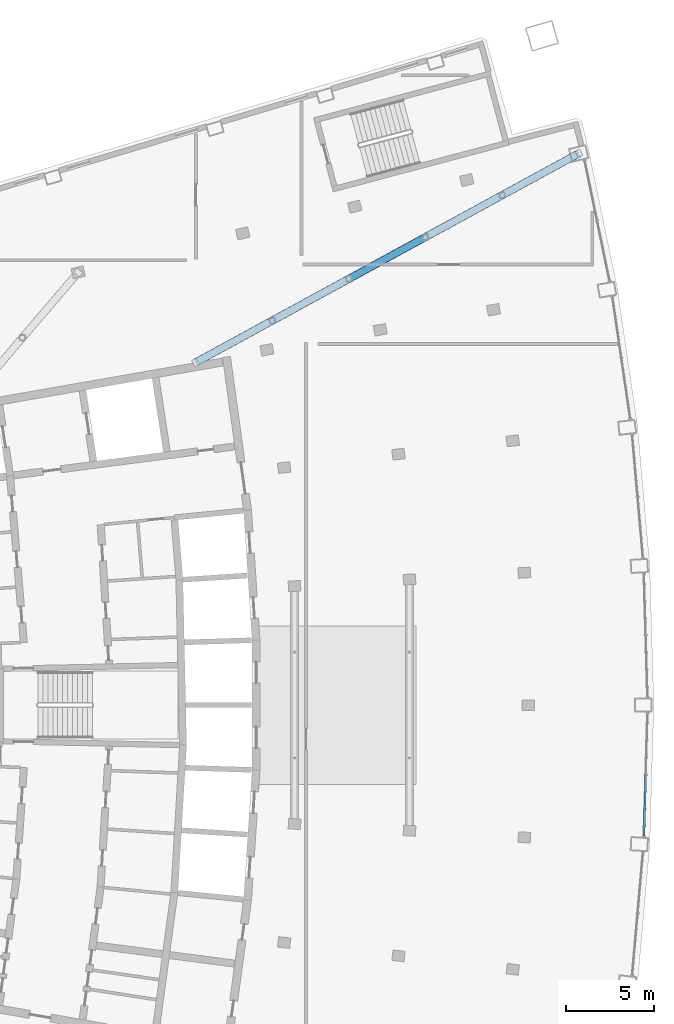
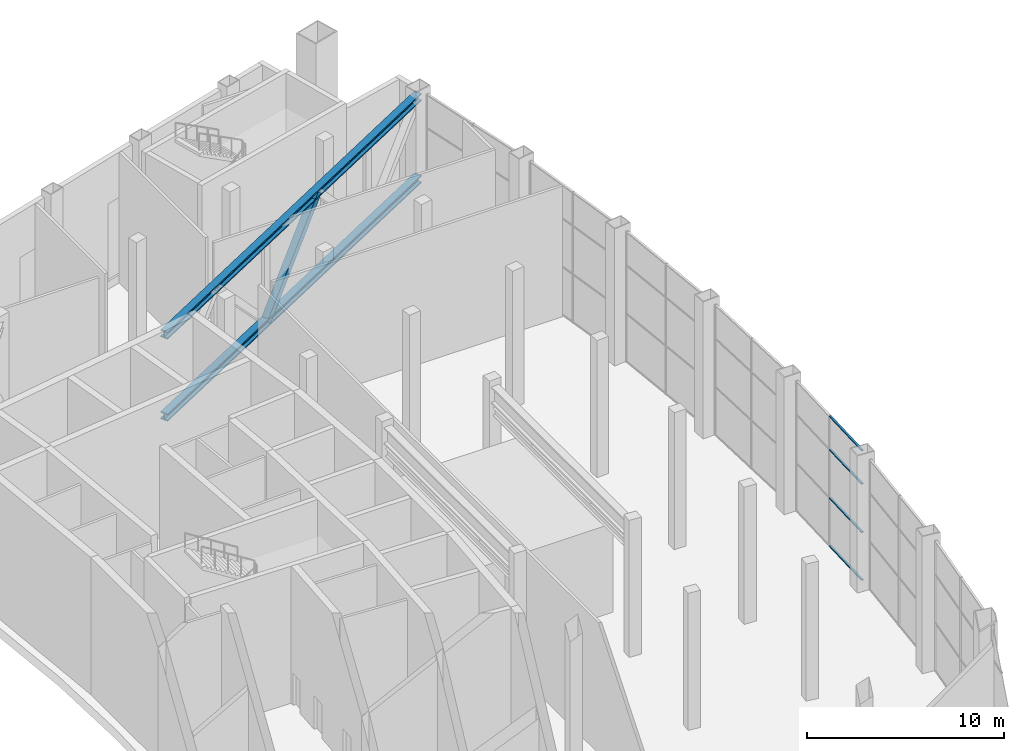
# One storey, part 12 of 25: 7 members, 1 element without a shape of its own.
"""IFC4 building model written with IfcOpenShell, lengths in metres."""

from ifc_helpers import new_model, si_unit, direction, frame, origin, origin_2d, place, context, subcontext, project, spatial, rectangle, hollow_rectangle, i_section, extrude, material, layer, layer_set, material_profile, profile_set, type_object, element, aggregate, save


model = new_model("IFC4")

# Units and contexts
model_context = context("Model", 3, precision=1e-05, world=origin(), true_north=direction((0.0, 1.0)))
body_context = subcontext(model_context, "Body", "Model", "MODEL_VIEW")
ifc_project = project(units=[si_unit("LENGTHUNIT", "METRE"), si_unit("AREAUNIT", "SQUARE_METRE"), si_unit("VOLUMEUNIT", "CUBIC_METRE"), si_unit("PLANEANGLEUNIT", "RADIAN"), si_unit("MASSUNIT", "GRAM", prefix="KILO")], contexts=[model_context])

# Site, building, storey
site_placement = place(None, origin())
site = spatial("IfcSite", under=ifc_project, at=site_placement, CompositionType="ELEMENT")
building_placement = place(site_placement, origin())
building = spatial("IfcBuilding", under=site, at=building_placement, Name="Alderwake Tower", CompositionType="ELEMENT")
storey_placement = place(building_placement, frame((0.0, 0.0, 296.0)))
storey = spatial("IfcBuildingStorey", under=building, at=storey_placement, Name="L73", CompositionType="ELEMENT", Elevation=296.0)

# Members
ifc_material_1 = material(Name="Steel ASTM A992 Grade 50", Category="steel")
ifc_material_profile_1 = material_profile(ifc_material_1, i_section(OverallWidth=0.42138671875, OverallDepth=0.464599609375, WebThickness=0.044921875, FlangeThickness=0.072265625, at=origin_2d()), Name="W14X398")
ifc_profile_set_1 = profile_set([ifc_material_profile_1], Name="Steel ASTM A992 Grade 50")
member_type_1 = type_object("IfcMemberType", Name="Outrigger truss chord W14X398", PredefinedType="CHORD", material=ifc_profile_set_1)
for number, where, z_axis, x_axis, name in (
    (1, (29.993896484375, 80.447998046875, 7.86767578125), (0.877845830227, 0.478943314342, 0.0), (-0.478943314342, 0.877845830227, 0.0), "Outrigger truss chord DT73NF.T"),
    (2, (29.993896484375, 80.447998046875, 2.7822265625), (0.877845830227, 0.478943314342, 0.0), (-0.478943314342, 0.877845830227, 0.0), "Outrigger truss chord DT73NF.B"),
):
    element("IfcMember", number, at=place(storey_placement, frame(where, z_axis=z_axis, x_axis=x_axis)), inside=storey, type_object=member_type_1, Name=name, PredefinedType="CHORD", context=body_context, shape_type="SweptSolid", body=[
        extrude(i_section(OverallWidth=0.42138671875, OverallDepth=0.464599609375, WebThickness=0.044921875, FlangeThickness=0.072265625, at=origin_2d()), origin(), (0.0, 0.0, 1.0), 24.761474609375),
    ])
ifc_material_2 = material(Name="Steel ASTM A500 Grade C", Category="steel")
ifc_material_profile_2 = material_profile(ifc_material_2, hollow_rectangle(XDim=0.406494140625, YDim=0.406494140625, WallThickness=0.014892578125, at=origin_2d()), Name="HSS16X16X5/8")
ifc_profile_set_2 = profile_set([ifc_material_profile_2], Name="Steel ASTM A500 Grade C")
member_type_2 = type_object("IfcMemberType", Name="Outrigger truss diagonal HSS16X16X5/8", PredefinedType="BRACE", material=ifc_profile_set_2)
member_1_placement = place(storey_placement, frame((38.688720703125, 85.191650390625, 2.7822265625), z_axis=(0.612442162249, 0.334165667906, 0.716413221746), x_axis=(-0.478969559992, 0.877831510372, 0.0)))
element("IfcMember", 3, at=member_1_placement, inside=storey, type_object=member_type_2, Name="Outrigger truss diagonal DT73NF.D3", PredefinedType="BRACE", context=body_context, shape_type="SweptSolid", body=[
    extrude(hollow_rectangle(XDim=0.406494140625, YDim=0.406494140625, WallThickness=0.014892578125, at=origin_2d()), origin(), (0.0, 0.0, 1.0), 7.098388671875),
])

# Curtain wall, members
ifc_material_3 = material(Name="Bronze tinted glass in aluminium frame", Category="aluminium")
ifc_layer = layer(ifc_material_3, 0.199951171875)
ifc_layer_set = layer_set([ifc_layer], Name="Curtain wall CW4 damper floor viewing glazing")
curtain_wall_type = type_object("IfcCurtainWallType", Name="Curtain wall CW4 damper floor viewing glazing", PredefinedType="NOTDEFINED", material=ifc_layer_set)
curtain_wall_placement = place(storey_placement, origin())
curtain_wall = element("IfcCurtainWall", 4, at=curtain_wall_placement, inside=storey, type_object=curtain_wall_type, Name="Curtain wall 4", PredefinedType="NOTDEFINED")
ifc_material_4 = material(Name="Aluminium bronze anodised", Category="aluminium")
ifc_material_profile_3 = material_profile(ifc_material_4, rectangle(XDim=0.1201171875, YDim=0.06005859375, at=origin_2d()), Name="Transom TRD 60x120")
ifc_profile_set_3 = profile_set([ifc_material_profile_3], Name="Aluminium bronze anodised")
member_type_3 = type_object("IfcMemberType", Name="Transom TRD 60x120", PredefinedType="USERDEFINED", material=ifc_profile_set_3)
member_2_placement = place(storey_placement, frame((55.433349609375, 53.572998046875, 0.030029296875), z_axis=(0.029132431954, 0.99957556063, 0.0), x_axis=(-0.99957556063, 0.029132431954, 0.0)))
member_2 = element("IfcMember", 5, at=member_2_placement, type_object=member_type_3, Name="CW.04 transom 1.1", ObjectType="TRANSOM", PredefinedType="USERDEFINED", context=body_context, shape_type="SweptSolid", body=[
    extrude(rectangle(XDim=0.1201171875, YDim=0.06005859375, at=origin_2d()), origin(), (0.0, 0.0, 1.0), 3.4443359375),
])
member_3_placement = place(storey_placement, frame((55.433349609375, 53.572998046875, 3.0), z_axis=(0.029132431954, 0.99957556063, 0.0), x_axis=(-0.99957556063, 0.029132431954, 0.0)))
member_3 = element("IfcMember", 6, at=member_3_placement, type_object=member_type_3, Name="CW.04 transom 1.2", ObjectType="TRANSOM", PredefinedType="USERDEFINED", context=body_context, shape_type="SweptSolid", body=[
    extrude(rectangle(XDim=0.1201171875, YDim=0.06005859375, at=origin_2d()), origin(), (0.0, 0.0, 1.0), 3.4443359375),
])
member_4_placement = place(storey_placement, frame((55.433349609375, 53.572998046875, 6.0), z_axis=(0.029132431954, 0.99957556063, 0.0), x_axis=(-0.99957556063, 0.029132431954, 0.0)))
member_4 = element("IfcMember", 7, at=member_4_placement, type_object=member_type_3, Name="CW.04 transom 1.3", ObjectType="TRANSOM", PredefinedType="USERDEFINED", context=body_context, shape_type="SweptSolid", body=[
    extrude(rectangle(XDim=0.1201171875, YDim=0.06005859375, at=origin_2d()), origin(), (0.0, 0.0, 1.0), 3.4443359375),
])
member_5_placement = place(storey_placement, frame((55.433349609375, 53.572998046875, 8.070068359375), z_axis=(0.029132431954, 0.99957556063, 0.0), x_axis=(-0.99957556063, 0.029132431954, 0.0)))
member_5 = element("IfcMember", 8, at=member_5_placement, type_object=member_type_3, Name="CW.04 transom 1.4", ObjectType="TRANSOM", PredefinedType="USERDEFINED", context=body_context, shape_type="SweptSolid", body=[
    extrude(rectangle(XDim=0.1201171875, YDim=0.06005859375, at=origin_2d()), origin(), (0.0, 0.0, 1.0), 3.4443359375),
])
aggregate(curtain_wall, [member_2, member_3, member_4, member_5])

save(model, "model.ifc")
